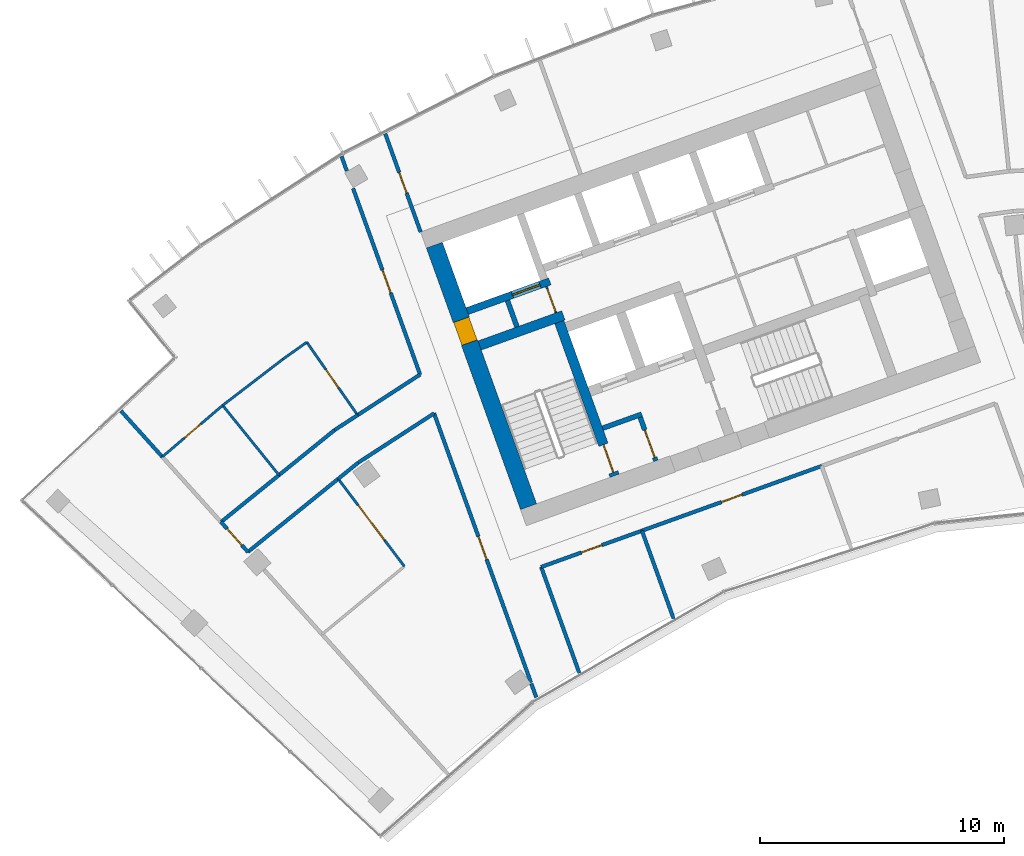
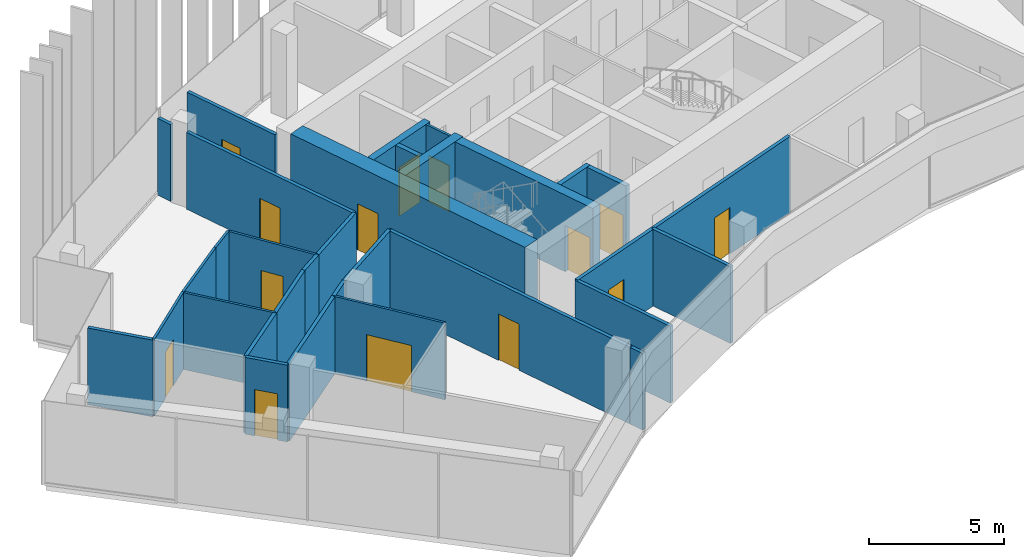
# One storey, part 13 of 19: 32 walls, 14 doors, 14 openings.
"""IFC4 building model written with IfcOpenShell, lengths in metres."""

from ifc_helpers import new_model, si_unit, direction, frame, frame_2d, origin, place, context, subcontext, project, spatial, rectangle, extrude, material, layer, layer_set, type_object, element, fill, save


model = new_model("IFC4")

# Units and contexts
model_context = context("Model", 3, precision=1e-05, world=origin(), true_north=direction((0.0, 1.0)))
body_context = subcontext(model_context, "Body", "Model", "MODEL_VIEW")
ifc_project = project(units=[si_unit("LENGTHUNIT", "METRE"), si_unit("AREAUNIT", "SQUARE_METRE"), si_unit("VOLUMEUNIT", "CUBIC_METRE"), si_unit("PLANEANGLEUNIT", "RADIAN"), si_unit("MASSUNIT", "GRAM", prefix="KILO")], contexts=[model_context])

# Site, building, storey
site_placement = place(None, origin())
site = spatial("IfcSite", under=ifc_project, at=site_placement, CompositionType="ELEMENT")
building_placement = place(site_placement, origin())
building = spatial("IfcBuilding", under=site, at=building_placement, Name="Stone Belt Terrace Tower", CompositionType="ELEMENT")
storey_placement = place(building_placement, frame((0.0, 0.0, 292.199951171875)))
storey = spatial("IfcBuildingStorey", under=building, at=storey_placement, Name="L71", CompositionType="ELEMENT", Elevation=292.199951171875)

# Wall, opening, door
ifc_material_1 = material(Name="Plasterboard partition")
ifc_layer_1 = layer(ifc_material_1, 0.10009765625)
ifc_layer_set_1 = layer_set([ifc_layer_1], Name="Core partition 100")
wall_type_1 = type_object("IfcWallType", Name="Core partition 100", PredefinedType="PARTITIONING", material=ifc_layer_set_1)
wall_1_placement = place(storey_placement, frame((-24.555908203125, 51.10400390625, 0.0), z_axis=(0.0, 0.0, 1.0), x_axis=(-0.338621735342, 0.94092258999, 0.0)))
wall_1 = element("IfcWall", 1, at=wall_1_placement, inside=storey, type_object=wall_type_1, Name="Core A wall", PredefinedType="PARTITIONING", context=body_context, shape_type="SweptSolid", body=[
    extrude(rectangle(XDim=1.14990234375, YDim=0.10009765625, at=frame_2d((0.574951171875, 0.0))), origin(), (0.0, 0.0, 1.0), 3.47998046875),
])
opening_1_placement = place(wall_1_placement, frame((0.050048828125, 0.0, 0.0)))
opening_1 = element("IfcOpeningElement", 2, at=opening_1_placement, cuts=wall_1, Name="Opening L71-C07", PredefinedType="OPENING", context=body_context, shape_type="SweptSolid", body=[
    extrude(rectangle(XDim=1.0, YDim=2.10009765625, at=frame_2d((0.5, 1.050048828125))), frame((0.0, 0.06005859375, 0.0), z_axis=(0.0, -1.0, 0.0), x_axis=(1.0, 0.0, 0.0)), (0.0, 0.0, 1.0), 0.1201171875),
])
ifc_material_2 = material(Name="Timber door leaf", Category="wood")
door_type_1 = type_object("IfcDoorType", Name="Core room door 1000", OperationType="SINGLE_SWING_LEFT", PredefinedType="DOOR", material=ifc_material_2)
door_1_placement = place(opening_1_placement, origin())
door_1 = element("IfcDoor", 3, at=door_1_placement, inside=storey, type_object=door_type_1, Name="Service lift lobby door core A", OperationType="SINGLE_SWING_LEFT", OverallHeight=2.10009765625, OverallWidth=1.0, PredefinedType="DOOR", context=body_context, shape_type="SweptSolid", body=[
    extrude(rectangle(XDim=1.0, YDim=2.10009765625, at=frame_2d((0.5, 1.050048828125))), frame((0.0, 0.02490234375, 0.0), z_axis=(0.0, -1.0, 0.0), x_axis=(1.0, 0.0, 0.0)), (0.0, 0.0, 1.0), 0.050048828125),
])
fill(opening_1, door_1)

ifc_material_3 = material(Name="Concrete B60", Category="concrete")
ifc_layer_2 = layer(ifc_material_3, 0.699951171875)
ifc_layer_set_2 = layer_set([ifc_layer_2], Name="Core wall 700 B60")
wall_type_2 = type_object("IfcWallType", Name="Core wall 700 B60", PredefinedType="SHEAR", material=ifc_layer_set_2)
wall_2_placement = place(storey_placement, frame((-25.679931640625, 43.153564453125, 0.0), z_axis=(0.0, 0.0, 1.0), x_axis=(-0.338625431531, 0.940921259788, 0.0)))
wall_2 = element("IfcWall", 4, at=wall_2_placement, inside=storey, type_object=wall_type_2, Name="Core A wall end_a L71", PredefinedType="SHEAR", context=body_context, shape_type="SweptSolid", body=[
    extrude(rectangle(XDim=11.400146484375, YDim=0.699951171875, at=frame_2d((5.7001953125, 0.0))), origin(), (0.0, 0.0, 1.0), 3.800048828125),
])
opening_2_placement = place(wall_2_placement, frame((7.14990234375, 0.0, 0.0)))
opening_2 = element("IfcOpeningElement", 5, at=opening_2_placement, cuts=wall_2, Name="Opening L71-C06", PredefinedType="OPENING", context=body_context, shape_type="SweptSolid", body=[
    extrude(rectangle(XDim=1.0, YDim=2.10009765625, at=frame_2d((0.5, 1.050048828125))), frame((0.0, 0.35986328125, 0.0), z_axis=(0.0, -1.0, 0.0), x_axis=(1.0, 0.0, 0.0)), (0.0, 0.0, 1.0), 0.719970703125),
])
door_2_placement = place(opening_2_placement, origin())
door_2 = element("IfcDoor", 6, at=door_2_placement, inside=storey, type_object=door_type_1, Name="Door to Telecommunications riser room core A", OperationType="SINGLE_SWING_RIGHT", OverallHeight=2.10009765625, OverallWidth=1.0, PredefinedType="DOOR", context=body_context, shape_type="SweptSolid", body=[
    extrude(rectangle(XDim=1.0, YDim=2.10009765625, at=frame_2d((0.5, 1.050048828125))), frame((0.0, 0.330078125, 0.0), z_axis=(0.0, -1.0, 0.0), x_axis=(1.0, 0.0, 0.0)), (0.0, 0.0, 1.0), 0.659912109375),
])
fill(opening_2, door_2)

ifc_material_4 = material(Name="Concrete B80", Category="concrete")
ifc_layer_3 = layer(ifc_material_4, 0.300048828125)
ifc_layer_set_3 = layer_set([ifc_layer_3], Name="Lift shaft wall 300")
wall_type_3 = type_object("IfcWallType", Name="Lift shaft wall 300", PredefinedType="SHEAR", material=ifc_layer_set_3)
wall_3_placement = place(storey_placement, frame((-28.195068359375, 51.17578125, 0.0), z_axis=(0.0, 0.0, 1.0), x_axis=(0.940901243567, 0.338681044427, 0.0)))
wall_3 = element("IfcWall", 7, at=wall_3_placement, inside=storey, type_object=wall_type_3, Name="Core A wall", PredefinedType="SHEAR", context=body_context, shape_type="SweptSolid", body=[
    extrude(rectangle(XDim=3.599853515625, YDim=0.300048828125, at=frame_2d((1.7998046875, 0.0))), origin(), (0.0, 0.0, 1.0), 3.47998046875),
])
opening_3_placement = place(wall_3_placement, frame((1.969970703125, 0.0, 0.0)))
opening_3 = element("IfcOpeningElement", 8, at=opening_3_placement, cuts=wall_3, Name="Opening L71-LD07", PredefinedType="OPENING", context=body_context, shape_type="SweptSolid", body=[
    extrude(rectangle(XDim=1.199951171875, YDim=2.199951171875, at=frame_2d((0.60009765625, 1.10009765625))), frame((0.0, 0.159912109375, 0.0), z_axis=(0.0, -1.0, 0.0), x_axis=(1.0, 0.0, 0.0)), (0.0, 0.0, 1.0), 0.320068359375),
])
ifc_material_5 = material(Name="Stainless steel door leaf", Category="steel")
door_type_2 = type_object("IfcDoorType", Name="Landing door 1200", OperationType="SLIDING_TO_LEFT", PredefinedType="DOOR", material=ifc_material_5)
door_3_placement = place(opening_3_placement, origin())
door_3 = element("IfcDoor", 9, at=door_3_placement, inside=storey, type_object=door_type_2, Name="Landing door SV1 core A", OperationType="SLIDING_TO_LEFT", OverallHeight=2.199951171875, OverallWidth=1.199951171875, PredefinedType="DOOR", context=body_context, shape_type="SweptSolid", body=[
    extrude(rectangle(XDim=1.199951171875, YDim=2.199951171875, at=frame_2d((0.60009765625, 1.10009765625))), frame((0.0, 0.02490234375, 0.0), z_axis=(0.0, -1.0, 0.0), x_axis=(1.0, 0.0, 0.0)), (0.0, 0.0, 1.0), 0.050048828125),
])
fill(opening_3, door_3)

ifc_material_6 = material(Name="Gypsum board partition")
ifc_layer_4 = layer(ifc_material_6, 0.10009765625)
ifc_layer_set_4 = layer_set([ifc_layer_4], Name="PARTITION 100")
wall_type_4 = type_object("IfcWallType", Name="PARTITION 100", PredefinedType="PARTITIONING", material=ifc_layer_set_4)
wall_4_placement = place(storey_placement, frame((-30.77197265625, 40.70703125, 0.0), z_axis=(0.0, 0.0, 1.0), x_axis=(-0.603059447696, 0.797696247042, 0.0)))
wall_4 = element("IfcWall", 10, at=wall_4_placement, inside=storey, type_object=wall_type_4, Name="L71/wall/i048", PredefinedType="PARTITIONING", context=body_context, shape_type="SweptSolid", body=[
    extrude(rectangle(XDim=4.50048828125, YDim=0.10009765625, at=frame_2d((2.250244140625, 0.0))), origin(), (0.0, 0.0, 1.0), 3.47998046875),
])
opening_4_placement = place(wall_4_placement, frame((1.35009765625, 0.0, 0.0)))
opening_4 = element("IfcOpeningElement", 11, at=opening_4_placement, cuts=wall_4, Name="Opening D-E4-13", PredefinedType="OPENING", context=body_context, shape_type="SweptSolid", body=[
    extrude(rectangle(XDim=1.800048828125, YDim=2.10009765625, at=frame_2d((0.89990234375, 1.050048828125))), frame((0.0, 0.06005859375, 0.0), z_axis=(0.0, -1.0, 0.0), x_axis=(1.0, 0.0, 0.0)), (0.0, 0.0, 1.0), 0.1201171875),
])
door_type_3 = type_object("IfcDoorType", Name="DOUBLE DOOR 1800 X 2100", OperationType="DOUBLE_DOOR_SINGLE_SWING", PredefinedType="DOOR", material=ifc_material_2)
door_4_placement = place(opening_4_placement, origin())
door_4 = element("IfcDoor", 12, at=door_4_placement, inside=storey, type_object=door_type_3, Name="L71/door/i13", OperationType="DOUBLE_DOOR_SINGLE_SWING", OverallHeight=2.10009765625, OverallWidth=1.800048828125, PredefinedType="DOOR", context=body_context, shape_type="SweptSolid", body=[
    extrude(rectangle(XDim=1.800048828125, YDim=2.10009765625, at=frame_2d((0.89990234375, 1.050048828125))), frame((0.0, 0.02490234375, 0.0), z_axis=(0.0, -1.0, 0.0), x_axis=(1.0, 0.0, 0.0)), (0.0, 0.0, 1.0), 0.050048828125),
])
fill(opening_4, door_4)

wall_5_placement = place(storey_placement, frame((-38.222900390625, 47.31005859375, 0.0), z_axis=(0.0, 0.0, 1.0), x_axis=(-0.760838311275, -0.648941495126, 0.0)))
wall_5 = element("IfcWall", 13, at=wall_5_placement, inside=storey, type_object=wall_type_4, Name="L71/wall/i049", PredefinedType="PARTITIONING", context=body_context, shape_type="SweptSolid", body=[
    extrude(rectangle(XDim=3.253173828125, YDim=0.10009765625, at=frame_2d((1.62646484375, 0.0))), origin(), (0.0, 0.0, 1.0), 3.47998046875),
])
opening_5_placement = place(wall_5_placement, frame((1.176513671875, 0.0, 0.0)))
opening_5 = element("IfcOpeningElement", 14, at=opening_5_placement, cuts=wall_5, Name="Opening D-E4-15", PredefinedType="OPENING", context=body_context, shape_type="SweptSolid", body=[
    extrude(rectangle(XDim=0.89990234375, YDim=2.10009765625, at=frame_2d((0.449951171875, 1.050048828125))), frame((0.0, 0.06005859375, 0.0), z_axis=(0.0, -1.0, 0.0), x_axis=(1.0, 0.0, 0.0)), (0.0, 0.0, 1.0), 0.1201171875),
])
door_type_4 = type_object("IfcDoorType", Name="OFFICE DOOR 900 X 2100", OperationType="NOTDEFINED", PredefinedType="DOOR", material=ifc_material_2)
door_5_placement = place(opening_5_placement, origin())
door_5 = element("IfcDoor", 15, at=door_5_placement, inside=storey, type_object=door_type_4, Name="L71/door/i15", OperationType="SINGLE_SWING_RIGHT", OverallHeight=2.10009765625, OverallWidth=0.89990234375, PredefinedType="DOOR", context=body_context, shape_type="SweptSolid", body=[
    extrude(rectangle(XDim=0.89990234375, YDim=2.10009765625, at=frame_2d((0.449951171875, 1.050048828125))), frame((0.0, 0.02490234375, 0.0), z_axis=(0.0, -1.0, 0.0), x_axis=(1.0, 0.0, 0.0)), (0.0, 0.0, 1.0), 0.050048828125),
])
fill(opening_5, door_5)

wall_6_placement = place(storey_placement, frame((-32.68994140625, 46.909912109375, 0.0), z_axis=(0.0, 0.0, 1.0), x_axis=(-0.571676551123, 0.820479080109, 0.0)))
wall_6 = element("IfcWall", 16, at=wall_6_placement, inside=storey, type_object=wall_type_4, Name="L71/wall/i050", PredefinedType="PARTITIONING", context=body_context, shape_type="SweptSolid", body=[
    extrude(rectangle(XDim=3.6455078125, YDim=0.10009765625, at=frame_2d((1.82275390625, 0.0))), origin(), (0.0, 0.0, 1.0), 3.47998046875),
])
opening_6_placement = place(wall_6_placement, frame((1.372802734375, 0.0, 0.0)))
opening_6 = element("IfcOpeningElement", 17, at=opening_6_placement, cuts=wall_6, Name="Opening D-E4-16", PredefinedType="OPENING", context=body_context, shape_type="SweptSolid", body=[
    extrude(rectangle(XDim=0.89990234375, YDim=2.10009765625, at=frame_2d((0.449951171875, 1.050048828125))), frame((0.0, 0.06005859375, 0.0), z_axis=(0.0, -1.0, 0.0), x_axis=(1.0, 0.0, 0.0)), (0.0, 0.0, 1.0), 0.1201171875),
])
door_6_placement = place(opening_6_placement, origin())
door_6 = element("IfcDoor", 18, at=door_6_placement, inside=storey, type_object=door_type_4, Name="L71/door/i16", OperationType="SINGLE_SWING_RIGHT", OverallHeight=2.10009765625, OverallWidth=0.89990234375, PredefinedType="DOOR", context=body_context, shape_type="SweptSolid", body=[
    extrude(rectangle(XDim=0.89990234375, YDim=2.10009765625, at=frame_2d((0.449951171875, 1.050048828125))), frame((0.0, 0.02490234375, 0.0), z_axis=(0.0, -1.0, 0.0), x_axis=(1.0, 0.0, 0.0)), (0.0, 0.0, 1.0), 0.050048828125),
])
fill(opening_6, door_6)

# Walls
wall_7_placement = place(storey_placement, frame((-34.77392578125, 49.90087890625, 0.0), z_axis=(0.0, 0.0, 1.0), x_axis=(-0.814668651733, -0.579926709062, 0.0)))
element("IfcWall", 19, at=wall_7_placement, inside=storey, type_object=wall_type_4, Name="L71/wall/i051", PredefinedType="PARTITIONING", context=body_context, shape_type="SweptSolid", body=[
    extrude(rectangle(XDim=1.1982421875, YDim=0.10009765625, at=frame_2d((0.59912109375, 0.0))), origin(), (0.0, 0.0, 1.0), 3.47998046875),
])
wall_8_placement = place(storey_placement, frame((-35.75, 49.2060546875, 0.0), z_axis=(0.0, 0.0, 1.0), x_axis=(-0.793589967622, -0.608452926108, 0.0)))
element("IfcWall", 20, at=wall_8_placement, inside=storey, type_object=wall_type_4, Name="L71/wall/i052", PredefinedType="PARTITIONING", context=body_context, shape_type="SweptSolid", body=[
    extrude(rectangle(XDim=3.1162109375, YDim=0.10009765625, at=frame_2d((1.55810546875, 0.0))), origin(), (0.0, 0.0, 1.0), 3.47998046875),
])
wall_9_placement = place(storey_placement, frame((-38.222900390625, 47.31005859375, 0.0), z_axis=(0.0, 0.0, 1.0), x_axis=(0.628261333076, -0.778002376193, 0.0)))
element("IfcWall", 21, at=wall_9_placement, inside=storey, type_object=wall_type_4, Name="L71/wall/i053", PredefinedType="PARTITIONING", context=body_context, shape_type="SweptSolid", body=[
    extrude(rectangle(XDim=3.675048828125, YDim=0.10009765625, at=frame_2d((1.83740234375, 0.0))), origin(), (0.0, 0.0, 1.0), 3.47998046875),
])
ifc_layer_5 = layer(ifc_material_6, 0.14990234375)
ifc_layer_set_5 = layer_set([ifc_layer_5], Name="PARTITION 150 EI 60")
wall_type_5 = type_object("IfcWallType", Name="PARTITION 150 EI 60", PredefinedType="PARTITIONING", material=ifc_layer_set_5)
wall_10_placement = place(storey_placement, frame((-25.1650390625, 40.68896484375, 0.0), z_axis=(0.0, 0.0, 1.0), x_axis=(0.338609342271, -0.94092704995, 0.0)))
element("IfcWall", 22, at=wall_10_placement, inside=storey, type_object=wall_type_5, Name="L71/wall/i001", PredefinedType="PARTITIONING", context=body_context, shape_type="SweptSolid", body=[
    extrude(rectangle(XDim=4.6318359375, YDim=0.14990234375, at=frame_2d((2.31591796875, 0.0))), origin(), (0.0, 0.0, 1.0), 3.47998046875),
])

# Wall, opening, door
wall_11_placement = place(storey_placement, frame((-31.556884765625, 58.4521484375, 0.0), z_axis=(0.0, 0.0, 1.0), x_axis=(0.338580264222, -0.940937513695, 0.0)))
wall_11 = element("IfcWall", 23, at=wall_11_placement, inside=storey, type_object=wall_type_5, Name="L71/wall/i002", PredefinedType="PARTITIONING", context=body_context, shape_type="SweptSolid", body=[
    extrude(rectangle(XDim=4.285400390625, YDim=0.14990234375, at=frame_2d((2.142578125, 0.0))), origin(), (0.0, 0.0, 1.0), 3.47998046875),
])
opening_7_placement = place(wall_11_placement, frame((1.692626953125, 0.0, 0.0)))
opening_7 = element("IfcOpeningElement", 24, at=opening_7_placement, cuts=wall_11, Name="Opening D-E4-04", PredefinedType="OPENING", context=body_context, shape_type="SweptSolid", body=[
    extrude(rectangle(XDim=0.89990234375, YDim=2.10009765625, at=frame_2d((0.449951171875, 1.050048828125))), frame((0.0, 0.0849609375, 0.0), z_axis=(0.0, -1.0, 0.0), x_axis=(1.0, 0.0, 0.0)), (0.0, 0.0, 1.0), 0.169921875),
])
door_7_placement = place(opening_7_placement, origin())
door_7 = element("IfcDoor", 25, at=door_7_placement, inside=storey, type_object=door_type_4, Name="L71/door/i04", OperationType="SINGLE_SWING_RIGHT", OverallHeight=2.10009765625, OverallWidth=0.89990234375, PredefinedType="DOOR", context=body_context, shape_type="SweptSolid", body=[
    extrude(rectangle(XDim=0.89990234375, YDim=2.10009765625, at=frame_2d((0.449951171875, 1.050048828125))), frame((0.0, 0.02490234375, 0.0), z_axis=(0.0, -1.0, 0.0), x_axis=(1.0, 0.0, 0.0)), (0.0, 0.0, 1.0), 0.050048828125),
])
fill(opening_7, door_7)

# Wall
wall_12_placement = place(storey_placement, frame((-25.361083984375, 35.329833984375, 0.0), z_axis=(0.0, 0.0, 1.0), x_axis=(-0.338633814852, 0.940918242696, 0.0)))
element("IfcWall", 26, at=wall_12_placement, inside=storey, type_object=wall_type_5, Name="L71/wall/i003", PredefinedType="PARTITIONING", context=body_context, shape_type="SweptSolid", body=[
    extrude(rectangle(XDim=0.605712890625, YDim=0.14990234375, at=frame_2d((0.302734375, 0.0))), origin(), (0.0, 0.0, 1.0), 3.47998046875),
])

# Wall, opening, door
wall_13_placement = place(storey_placement, frame((-25.5810546875, 35.94091796875, 0.0), z_axis=(0.0, 0.0, 1.0), x_axis=(-0.338660555828, 0.940908618265, 0.0)))
wall_13 = element("IfcWall", 27, at=wall_13_placement, inside=storey, type_object=wall_type_5, Name="L71/wall/i004", PredefinedType="PARTITIONING", context=body_context, shape_type="SweptSolid", body=[
    extrude(rectangle(XDim=11.73974609375, YDim=0.14990234375, at=frame_2d((5.869873046875, 0.0))), origin(), (0.0, 0.0, 1.0), 3.47998046875),
])
opening_8_placement = place(wall_13_placement, frame((5.369873046875, 0.0, 0.0)))
opening_8 = element("IfcOpeningElement", 28, at=opening_8_placement, cuts=wall_13, Name="Opening D-E4-12", PredefinedType="OPENING", context=body_context, shape_type="SweptSolid", body=[
    extrude(rectangle(XDim=1.0, YDim=2.10009765625, at=frame_2d((0.5, 1.050048828125))), frame((0.0, 0.0849609375, 0.0), z_axis=(0.0, -1.0, 0.0), x_axis=(1.0, 0.0, 0.0)), (0.0, 0.0, 1.0), 0.169921875),
])
ifc_material_7 = material(Name="Timber fire door leaf", Category="wood")
door_type_5 = type_object("IfcDoorType", Name="TENANCY ENTRANCE DOOR 1000 X 2100", OperationType="NOTDEFINED", PredefinedType="DOOR", material=ifc_material_7)
door_8_placement = place(opening_8_placement, origin())
door_8 = element("IfcDoor", 29, at=door_8_placement, inside=storey, type_object=door_type_5, Name="L71/door/i12", OperationType="SINGLE_SWING_LEFT", OverallHeight=2.10009765625, OverallWidth=1.0, PredefinedType="DOOR", context=body_context, shape_type="SweptSolid", body=[
    extrude(rectangle(XDim=1.0, YDim=2.10009765625, at=frame_2d((0.5, 1.050048828125))), frame((0.0, 0.02490234375, 0.0), z_axis=(0.0, -1.0, 0.0), x_axis=(1.0, 0.0, 0.0)), (0.0, 0.0, 1.0), 0.050048828125),
])
fill(opening_8, door_8)

wall_14_placement = place(storey_placement, frame((-30.1259765625, 48.568115234375, 0.0), z_axis=(0.0, 0.0, 1.0), x_axis=(-0.338638537247, 0.940916543106, 0.0)))
wall_14 = element("IfcWall", 30, at=wall_14_placement, inside=storey, type_object=wall_type_5, Name="L71/wall/i005", PredefinedType="PARTITIONING", context=body_context, shape_type="SweptSolid", body=[
    extrude(rectangle(XDim=8.11865234375, YDim=0.14990234375, at=frame_2d((4.059326171875, 0.0))), origin(), (0.0, 0.0, 1.0), 3.47998046875),
])
opening_9_placement = place(wall_14_placement, frame((3.559326171875, 0.0, 0.0)))
opening_9 = element("IfcOpeningElement", 31, at=opening_9_placement, cuts=wall_14, Name="Opening D-E4-14", PredefinedType="OPENING", context=body_context, shape_type="SweptSolid", body=[
    extrude(rectangle(XDim=1.0, YDim=2.10009765625, at=frame_2d((0.5, 1.050048828125))), frame((0.0, 0.0849609375, 0.0), z_axis=(0.0, -1.0, 0.0), x_axis=(1.0, 0.0, 0.0)), (0.0, 0.0, 1.0), 0.169921875),
])
door_9_placement = place(opening_9_placement, origin())
door_9 = element("IfcDoor", 32, at=door_9_placement, inside=storey, type_object=door_type_5, Name="L71/door/i14", OperationType="SINGLE_SWING_RIGHT", OverallHeight=2.10009765625, OverallWidth=1.0, PredefinedType="DOOR", context=body_context, shape_type="SweptSolid", body=[
    extrude(rectangle(XDim=1.0, YDim=2.10009765625, at=frame_2d((0.5, 1.050048828125))), frame((0.0, 0.02490234375, 0.0), z_axis=(0.0, -1.0, 0.0), x_axis=(1.0, 0.0, 0.0)), (0.0, 0.0, 1.0), 0.050048828125),
])
fill(opening_9, door_9)

# Wall
wall_15_placement = place(storey_placement, frame((-33.134765625, 56.928466796875, 0.0), z_axis=(0.0, 0.0, 1.0), x_axis=(-0.338733145318, 0.94088248802, 0.0)))
element("IfcWall", 33, at=wall_15_placement, inside=storey, type_object=wall_type_5, Name="L71/wall/i006", PredefinedType="PARTITIONING", context=body_context, shape_type="SweptSolid", body=[
    extrude(rectangle(XDim=0.632080078125, YDim=0.14990234375, at=frame_2d((0.31591796875, 0.0))), origin(), (0.0, 0.0, 1.0), 3.47998046875),
])

# Wall, opening, door
wall_16_placement = place(storey_placement, frame((-21.02392578125, 42.172119140625, 0.0), z_axis=(0.0, 0.0, 1.0), x_axis=(-0.940965921444, -0.338501306765, 0.0)))
wall_16 = element("IfcWall", 34, at=wall_16_placement, inside=storey, type_object=wall_type_5, Name="L71/wall/i012", PredefinedType="PARTITIONING", context=body_context, shape_type="SweptSolid", body=[
    extrude(rectangle(XDim=4.39892578125, YDim=0.14990234375, at=frame_2d((2.199462890625, 0.0))), origin(), (0.0, 0.0, 1.0), 3.47998046875),
])
opening_10_placement = place(wall_16_placement, frame((1.749267578125, 0.0, 0.0)))
opening_10 = element("IfcOpeningElement", 35, at=opening_10_placement, cuts=wall_16, Name="Opening D-E4-01", PredefinedType="OPENING", context=body_context, shape_type="SweptSolid", body=[
    extrude(rectangle(XDim=0.89990234375, YDim=2.10009765625, at=frame_2d((0.449951171875, 1.050048828125))), frame((0.0, 0.0849609375, 0.0), z_axis=(0.0, -1.0, 0.0), x_axis=(1.0, 0.0, 0.0)), (0.0, 0.0, 1.0), 0.169921875),
])
door_10_placement = place(opening_10_placement, origin())
door_10 = element("IfcDoor", 36, at=door_10_placement, inside=storey, type_object=door_type_4, Name="L71/door/i01", OperationType="SINGLE_SWING_RIGHT", OverallHeight=2.10009765625, OverallWidth=0.89990234375, PredefinedType="DOOR", context=body_context, shape_type="SweptSolid", body=[
    extrude(rectangle(XDim=0.89990234375, YDim=2.10009765625, at=frame_2d((0.449951171875, 1.050048828125))), frame((0.0, 0.02490234375, 0.0), z_axis=(0.0, -1.0, 0.0), x_axis=(1.0, 0.0, 0.0)), (0.0, 0.0, 1.0), 0.050048828125),
])
fill(opening_10, door_10)

wall_17_placement = place(storey_placement, frame((-13.658935546875, 44.823974609375, 0.0), z_axis=(0.0, 0.0, 1.0), x_axis=(-0.940914799309, -0.338643382396, 0.0)))
wall_17 = element("IfcWall", 37, at=wall_17_placement, inside=storey, type_object=wall_type_5, Name="L71/wall/i013", PredefinedType="PARTITIONING", context=body_context, shape_type="SweptSolid", body=[
    extrude(rectangle(XDim=7.840087890625, YDim=0.14990234375, at=frame_2d((3.919921875, 0.0))), origin(), (0.0, 0.0, 1.0), 3.47998046875),
])
opening_11_placement = place(wall_17_placement, frame((3.47021484375, 0.0, 0.0)))
opening_11 = element("IfcOpeningElement", 38, at=opening_11_placement, cuts=wall_17, Name="Opening D-E4-02", PredefinedType="OPENING", context=body_context, shape_type="SweptSolid", body=[
    extrude(rectangle(XDim=0.89990234375, YDim=2.10009765625, at=frame_2d((0.449951171875, 1.050048828125))), frame((0.0, 0.0849609375, 0.0), z_axis=(0.0, -1.0, 0.0), x_axis=(1.0, 0.0, 0.0)), (0.0, 0.0, 1.0), 0.169921875),
])
door_11_placement = place(opening_11_placement, origin())
door_11 = element("IfcDoor", 39, at=door_11_placement, inside=storey, type_object=door_type_4, Name="L71/door/i02", OperationType="SINGLE_SWING_RIGHT", OverallHeight=2.10009765625, OverallWidth=0.89990234375, PredefinedType="DOOR", context=body_context, shape_type="SweptSolid", body=[
    extrude(rectangle(XDim=0.89990234375, YDim=2.10009765625, at=frame_2d((0.449951171875, 1.050048828125))), frame((0.0, 0.02490234375, 0.0), z_axis=(0.0, -1.0, 0.0), x_axis=(1.0, 0.0, 0.0)), (0.0, 0.0, 1.0), 0.050048828125),
])
fill(opening_11, door_11)

# Wall
wall_18_placement = place(storey_placement, frame((-21.030029296875, 42.169921875, 0.0), z_axis=(0.0, 0.0, 1.0), x_axis=(0.338622511241, -0.940922310757, 0.0)))
element("IfcWall", 40, at=wall_18_placement, inside=storey, type_object=wall_type_5, Name="L71/wall/i015", PredefinedType="PARTITIONING", context=body_context, shape_type="SweptSolid", body=[
    extrude(rectangle(XDim=3.834228515625, YDim=0.14990234375, at=frame_2d((1.9169921875, 0.0))), origin(), (0.0, 0.0, 1.0), 3.47998046875),
])

# Wall, opening, door
wall_19_placement = place(storey_placement, frame((-37.18310546875, 41.294921875, 0.0), z_axis=(0.0, 0.0, 1.0), x_axis=(-0.669037778615, 0.743228397456, 0.0)))
wall_19 = element("IfcWall", 41, at=wall_19_placement, inside=storey, type_object=wall_type_5, Name="L71/wall/i035", PredefinedType="PARTITIONING", context=body_context, shape_type="SweptSolid", body=[
    extrude(rectangle(XDim=1.661865234375, YDim=0.14990234375, at=frame_2d((0.8310546875, 0.0))), origin(), (0.0, 0.0, 1.0), 3.47998046875),
])
opening_12_placement = place(wall_19_placement, frame((0.380859375, 0.0, 0.0)))
opening_12 = element("IfcOpeningElement", 42, at=opening_12_placement, cuts=wall_19, Name="Opening D-E4-11", PredefinedType="OPENING", context=body_context, shape_type="SweptSolid", body=[
    extrude(rectangle(XDim=0.89990234375, YDim=2.10009765625, at=frame_2d((0.449951171875, 1.050048828125))), frame((0.0, 0.0849609375, 0.0), z_axis=(0.0, -1.0, 0.0), x_axis=(1.0, 0.0, 0.0)), (0.0, 0.0, 1.0), 0.169921875),
])
door_12_placement = place(opening_12_placement, origin())
door_12 = element("IfcDoor", 43, at=door_12_placement, inside=storey, type_object=door_type_4, Name="L71/door/i11", OperationType="SINGLE_SWING_RIGHT", OverallHeight=2.10009765625, OverallWidth=0.89990234375, PredefinedType="DOOR", context=body_context, shape_type="SweptSolid", body=[
    extrude(rectangle(XDim=0.89990234375, YDim=2.10009765625, at=frame_2d((0.449951171875, 1.050048828125))), frame((0.0, 0.02490234375, 0.0), z_axis=(0.0, -1.0, 0.0), x_axis=(1.0, 0.0, 0.0)), (0.0, 0.0, 1.0), 0.050048828125),
])
fill(opening_12, door_12)

# Walls
wall_20_placement = place(storey_placement, frame((-42.39892578125, 47.08837890625, 0.0), z_axis=(0.0, 0.0, 1.0), x_axis=(0.668959438882, -0.743298909679, 0.0)))
element("IfcWall", 44, at=wall_20_placement, inside=storey, type_object=wall_type_5, Name="L71/wall/i038", PredefinedType="PARTITIONING", context=body_context, shape_type="SweptSolid", body=[
    extrude(rectangle(XDim=2.548583984375, YDim=0.14990234375, at=frame_2d((1.2744140625, 0.0))), origin(), (0.0, 0.0, 1.0), 3.47998046875),
])
wall_21_placement = place(storey_placement, frame((-29.554931640625, 46.98095703125, 0.0), z_axis=(0.0, 0.0, 1.0), x_axis=(-0.838712683411, -0.544574177395, 0.0)))
element("IfcWall", 45, at=wall_21_placement, inside=storey, type_object=wall_type_5, Name="L71/wall/i040", PredefinedType="PARTITIONING", context=body_context, shape_type="SweptSolid", body=[
    extrude(rectangle(XDim=3.70947265625, YDim=0.14990234375, at=frame_2d((1.854736328125, 0.0))), origin(), (0.0, 0.0, 1.0), 3.47998046875),
])
wall_22_placement = place(storey_placement, frame((-32.666015625, 44.9609375, 0.0), z_axis=(0.0, 0.0, 1.0), x_axis=(-0.777175235342, -0.629284239093, 0.0)))
element("IfcWall", 46, at=wall_22_placement, inside=storey, type_object=wall_type_5, Name="L71/wall/i041", PredefinedType="PARTITIONING", context=body_context, shape_type="SweptSolid", body=[
    extrude(rectangle(XDim=1.0615234375, YDim=0.14990234375, at=frame_2d((0.53076171875, 0.0))), origin(), (0.0, 0.0, 1.0), 3.47998046875),
])
wall_23_placement = place(storey_placement, frame((-33.48193359375, 44.301025390625, 0.0), z_axis=(0.0, 0.0, 1.0), x_axis=(-0.777077902993, -0.629404426963, 0.0)))
element("IfcWall", 47, at=wall_23_placement, inside=storey, type_object=wall_type_5, Name="L71/wall/i042", PredefinedType="PARTITIONING", context=body_context, shape_type="SweptSolid", body=[
    extrude(rectangle(XDim=4.76806640625, YDim=0.14990234375, at=frame_2d((2.384033203125, 0.0))), origin(), (0.0, 0.0, 1.0), 3.47998046875),
])
wall_24_placement = place(storey_placement, frame((-32.695068359375, 46.906982421875, 0.0), z_axis=(0.0, 0.0, 1.0), x_axis=(0.838689543167, 0.544609814622, 0.0)))
element("IfcWall", 48, at=wall_24_placement, inside=storey, type_object=wall_type_5, Name="L71/wall/i043", PredefinedType="PARTITIONING", context=body_context, shape_type="SweptSolid", body=[
    extrude(rectangle(XDim=3.060791015625, YDim=0.14990234375, at=frame_2d((1.5302734375, 0.0))), origin(), (0.0, 0.0, 1.0), 3.47998046875),
])
wall_25_placement = place(storey_placement, frame((-38.291015625, 42.52587890625, 0.0), z_axis=(0.0, 0.0, 1.0), x_axis=(0.777109453913, 0.629365471438, 0.0)))
element("IfcWall", 49, at=wall_25_placement, inside=storey, type_object=wall_type_5, Name="L71/wall/i044", PredefinedType="PARTITIONING", context=body_context, shape_type="SweptSolid", body=[
    extrude(rectangle(XDim=3.0654296875, YDim=0.14990234375, at=frame_2d((1.53271484375, 0.0))), origin(), (0.0, 0.0, 1.0), 3.47998046875),
])
wall_26_placement = place(storey_placement, frame((-35.91796875, 44.447021484375, 0.0), z_axis=(0.0, 0.0, 1.0), x_axis=(0.776985403755, 0.629518611601, 0.0)))
element("IfcWall", 50, at=wall_26_placement, inside=storey, type_object=wall_type_5, Name="L71/wall/i045", PredefinedType="PARTITIONING", context=body_context, shape_type="SweptSolid", body=[
    extrude(rectangle(XDim=2.93701171875, YDim=0.14990234375, at=frame_2d((1.468505859375, 0.0))), origin(), (0.0, 0.0, 1.0), 3.47998046875),
])
wall_27_placement = place(storey_placement, frame((-33.635986328125, 46.2958984375, 0.0), z_axis=(0.0, 0.0, 1.0), x_axis=(0.838812443964, 0.544420502783, 0.0)))
element("IfcWall", 51, at=wall_27_placement, inside=storey, type_object=wall_type_5, Name="L71/wall/i046", PredefinedType="PARTITIONING", context=body_context, shape_type="SweptSolid", body=[
    extrude(rectangle(XDim=1.133544921875, YDim=0.14990234375, at=frame_2d((0.56689453125, 0.0))), origin(), (0.0, 0.0, 1.0), 3.47998046875),
])
ifc_material_8 = material(Name="Concrete masonry block", Category="masonry")
ifc_layer_6 = layer(ifc_material_8, 0.199951171875)
ifc_layer_set_6 = layer_set([ifc_layer_6], Name="Rated lobby wall 200")
wall_type_6 = type_object("IfcWallType", Name="Rated lobby wall 200", PredefinedType="PARTITIONING", material=ifc_layer_set_6)
wall_28_placement = place(storey_placement, frame((-26.1552734375, 50.5283203125, 0.0), z_axis=(0.0, 0.0, 1.0), x_axis=(-0.338621735342, 0.94092258999, 0.0)))
element("IfcWall", 52, at=wall_28_placement, inside=storey, type_object=wall_type_6, Name="Core A wall", PredefinedType="PARTITIONING", context=body_context, shape_type="SweptSolid", body=[
    extrude(rectangle(XDim=1.14990234375, YDim=0.199951171875, at=frame_2d((0.574951171875, 0.0))), origin(), (0.0, 0.0, 1.0), 3.47998046875),
])
wall_29_placement = place(storey_placement, frame((-22.640625, 46.373046875, 0.0), z_axis=(0.0, 0.0, 1.0), x_axis=(0.940966110313, 0.338500781747, 0.0)))
element("IfcWall", 53, at=wall_29_placement, inside=storey, type_object=wall_type_6, Name="Core A wall", PredefinedType="PARTITIONING", context=body_context, shape_type="SweptSolid", body=[
    extrude(rectangle(XDim=1.699951171875, YDim=0.199951171875, at=frame_2d((0.85009765625, 0.0))), origin(), (0.0, 0.0, 1.0), 3.47998046875),
])

# Wall, opening, door
wall_30_placement = place(storey_placement, frame((-20.4580078125, 45.032958984375, 0.0), z_axis=(0.0, 0.0, 1.0), x_axis=(-0.338573865316, 0.940939816208, 0.0)))
wall_30 = element("IfcWall", 54, at=wall_30_placement, inside=storey, type_object=wall_type_6, Name="Core A wall", PredefinedType="PARTITIONING", context=body_context, shape_type="SweptSolid", body=[
    extrude(rectangle(XDim=1.900146484375, YDim=0.199951171875, at=frame_2d((0.9501953125, 0.0))), origin(), (0.0, 0.0, 1.0), 3.47998046875),
])
opening_13_placement = place(wall_30_placement, frame((0.14990234375, 0.0, 0.0)))
opening_13 = element("IfcOpeningElement", 55, at=opening_13_placement, cuts=wall_30, Name="Opening L71-C11", PredefinedType="OPENING", context=body_context, shape_type="SweptSolid", body=[
    extrude(rectangle(XDim=1.199951171875, YDim=2.10009765625, at=frame_2d((0.60009765625, 1.050048828125))), frame((0.0, 0.10986328125, 0.0), z_axis=(0.0, -1.0, 0.0), x_axis=(1.0, 0.0, 0.0)), (0.0, 0.0, 1.0), 0.219970703125),
])
ifc_material_9 = material(Name="Steel door leaf", Category="steel")
door_type_6 = type_object("IfcDoorType", Name="Stair door 1200", OperationType="SINGLE_SWING_LEFT", PredefinedType="DOOR", material=ifc_material_9)
door_13_placement = place(opening_13_placement, origin())
door_13 = element("IfcDoor", 56, at=door_13_placement, inside=storey, type_object=door_type_6, Name="Stair airlock door core A", OperationType="SINGLE_SWING_LEFT", OverallHeight=2.10009765625, OverallWidth=1.199951171875, PredefinedType="DOOR", context=body_context, shape_type="SweptSolid", body=[
    extrude(rectangle(XDim=1.199951171875, YDim=2.10009765625, at=frame_2d((0.60009765625, 1.050048828125))), frame((0.0, 0.02490234375, 0.0), z_axis=(0.0, -1.0, 0.0), x_axis=(1.0, 0.0, 0.0)), (0.0, 0.0, 1.0), 0.050048828125),
])
fill(opening_13, door_13)

# Wall
ifc_layer_7 = layer(ifc_material_4, 0.39990234375)
ifc_layer_set_7 = layer_set([ifc_layer_7], Name="Stair enclosure wall 400")
wall_type_7 = type_object("IfcWallType", Name="Stair enclosure wall 400", PredefinedType="SHEAR", material=ifc_layer_set_7)
wall_31_placement = place(storey_placement, frame((-27.687255859375, 49.764404296875, 0.0), z_axis=(0.0, 0.0, 1.0), x_axis=(0.940918954884, 0.338631835981, 0.0)))
element("IfcWall", 57, at=wall_31_placement, inside=storey, type_object=wall_type_7, Name="Core A wall", PredefinedType="SHEAR", context=body_context, shape_type="SweptSolid", body=[
    extrude(rectangle(XDim=3.650146484375, YDim=0.39990234375, at=frame_2d((1.8251953125, 0.0))), origin(), (0.0, 0.0, 1.0), 3.47998046875),
])

# Wall, opening, door
wall_32_placement = place(storey_placement, frame((-22.151611328125, 44.42333984375, 0.0), z_axis=(0.0, 0.0, 1.0), x_axis=(-0.338625272931, 0.940921316866, 0.0)))
wall_32 = element("IfcWall", 58, at=wall_32_placement, inside=storey, type_object=wall_type_7, Name="Core A wall", PredefinedType="SHEAR", context=body_context, shape_type="SweptSolid", body=[
    extrude(rectangle(XDim=6.699951171875, YDim=0.39990234375, at=frame_2d((3.35009765625, 0.0))), origin(), (0.0, 0.0, 1.0), 3.47998046875),
])
opening_14_placement = place(wall_32_placement, frame((0.14990234375, 0.0, 0.0)))
opening_14 = element("IfcOpeningElement", 59, at=opening_14_placement, cuts=wall_32, Name="Opening L71-C10", PredefinedType="OPENING", context=body_context, shape_type="SweptSolid", body=[
    extrude(rectangle(XDim=1.199951171875, YDim=2.10009765625, at=frame_2d((0.60009765625, 1.050048828125))), frame((0.0, 0.2099609375, 0.0), z_axis=(0.0, -1.0, 0.0), x_axis=(1.0, 0.0, 0.0)), (0.0, 0.0, 1.0), 0.419921875),
])
door_14_placement = place(opening_14_placement, origin())
door_14 = element("IfcDoor", 60, at=door_14_placement, inside=storey, type_object=door_type_6, Name="Stair 1 door core A", OperationType="SINGLE_SWING_LEFT", OverallHeight=2.10009765625, OverallWidth=1.199951171875, PredefinedType="DOOR", context=body_context, shape_type="SweptSolid", body=[
    extrude(rectangle(XDim=1.199951171875, YDim=2.10009765625, at=frame_2d((0.60009765625, 1.050048828125))), frame((0.0, 0.02490234375, 0.0), z_axis=(0.0, -1.0, 0.0), x_axis=(1.0, 0.0, 0.0)), (0.0, 0.0, 1.0), 0.050048828125),
])
fill(opening_14, door_14)

save(model, "model.ifc")
